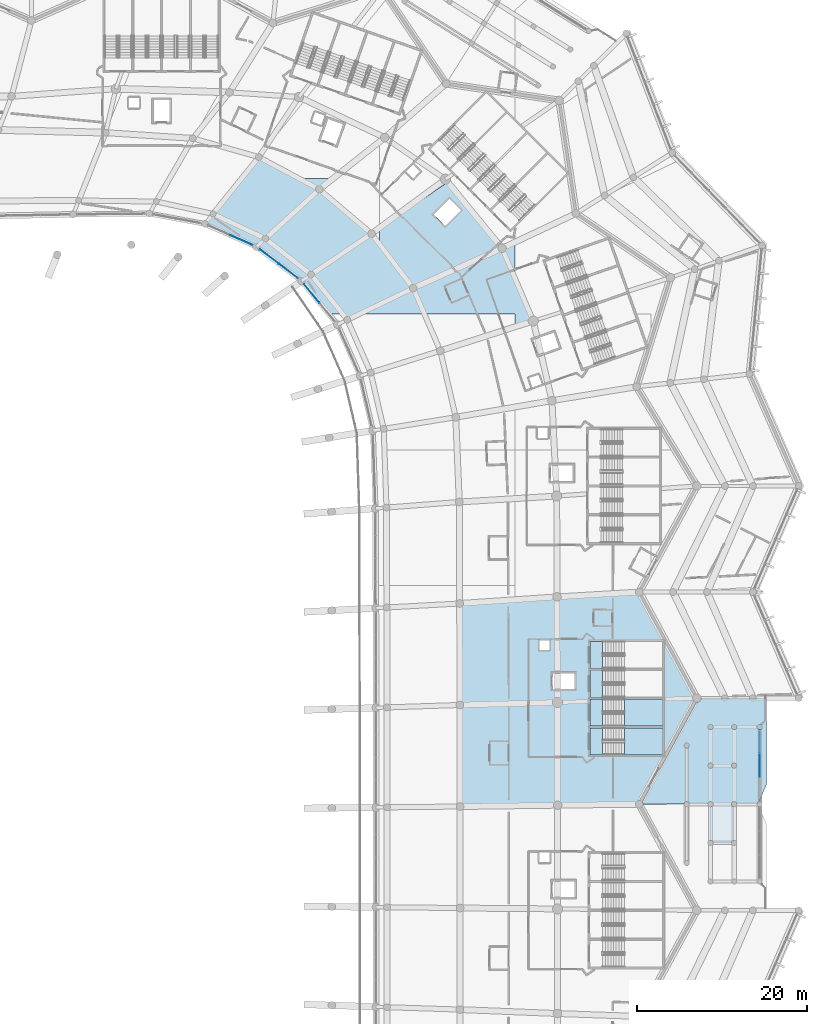
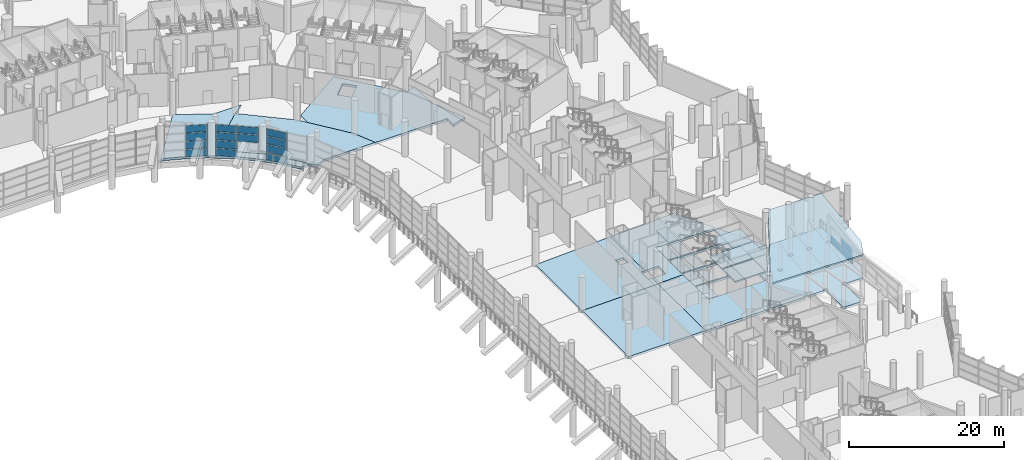
# One storey, part 149 of 271: 21 slabs, 17 plates, 8 elements without a shape of their own.
"""IFC4 building model written with IfcOpenShell, lengths in metres."""

from ifc_helpers import new_model, si_unit, direction, frame, origin, origin_2d, place, context, subcontext, project, spatial, polyline, rectangle, outline, extrude, material, layer, layer_set, type_object, element, aggregate, save


model = new_model("IFC4")

# Units and contexts
model_context = context("Model", 3, precision=1e-05, world=origin(), true_north=direction((0.0, 1.0)))
body_context = subcontext(model_context, "Body", "Model", "MODEL_VIEW")
ifc_project = project(units=[si_unit("LENGTHUNIT", "METRE"), si_unit("AREAUNIT", "SQUARE_METRE"), si_unit("VOLUMEUNIT", "CUBIC_METRE"), si_unit("PLANEANGLEUNIT", "RADIAN"), si_unit("MASSUNIT", "GRAM", prefix="KILO")], contexts=[model_context])

# Site, building, storey
site_placement = place(None, origin())
site = spatial("IfcSite", under=ifc_project, at=site_placement, CompositionType="ELEMENT")
building_placement = place(site_placement, origin())
building = spatial("IfcBuilding", under=site, at=building_placement, Name="Meseta Stadium", CompositionType="ELEMENT")
storey_placement = place(building_placement, frame((0.0, 0.0, 6.5)))
storey = spatial("IfcBuildingStorey", under=building, at=storey_placement, Name="L01", CompositionType="ELEMENT", Elevation=6.5)

# Curtain wall, plates
ifc_material_1 = material(Name="Aluminium", Category="aluminium")
ifc_layer_1 = layer(ifc_material_1, 0.199951171875)
ifc_layer_set_1 = layer_set([ifc_layer_1], Name="Club glazing curtain wall")
curtain_wall_type_1 = type_object("IfcCurtainWallType", Name="Club glazing curtain wall", PredefinedType="NOTDEFINED", material=ifc_layer_set_1)
curtain_wall_1_placement = place(storey_placement, origin())
curtain_wall_1 = element("IfcCurtainWall", 1, at=curtain_wall_1_placement, inside=storey, type_object=curtain_wall_type_1, Name="Club glazing bay 11", PredefinedType="NOTDEFINED")
ifc_material_2 = material(Name="Glass", Category="glass")
ifc_layer_2 = layer(ifc_material_2, 0.028076171875)
ifc_layer_set_2 = layer_set([ifc_layer_2], Name="CW glass panel 28")
plate_type_1 = type_object("IfcPlateType", Name="CW glass panel 28", PredefinedType="CURTAIN_PANEL", material=ifc_layer_set_2)
plate_1_placement = place(storey_placement, frame((56.022705078125, 66.44091796875, 0.1201171875), z_axis=(0.0, 0.0, 1.0), x_axis=(-0.63574102663, 0.771902420685, 0.0)))
plate_1 = element("IfcPlate", 2, at=plate_1_placement, type_object=plate_type_1, Name="CWC panel 2.1", PredefinedType="CURTAIN_PANEL", context=body_context, shape_type="SweptSolid", body=[
    extrude(rectangle(XDim=2.7646484375, YDim=0.028076171875, at=origin_2d()), origin(), (0.0, 0.0, 1.0), 1.107421875),
])
plate_2_placement = place(storey_placement, frame((56.022705078125, 66.44091796875, 1.347412109375), z_axis=(0.0, 0.0, 1.0), x_axis=(-0.63574102663, 0.771902420685, 0.0)))
plate_2 = element("IfcPlate", 3, at=plate_2_placement, type_object=plate_type_1, Name="CWC panel 2.2", PredefinedType="CURTAIN_PANEL", context=body_context, shape_type="SweptSolid", body=[
    extrude(rectangle(XDim=2.7646484375, YDim=0.028076171875, at=origin_2d()), origin(), (0.0, 0.0, 1.0), 1.16748046875),
])
plate_3_placement = place(storey_placement, frame((56.022705078125, 66.44091796875, 2.635009765625), z_axis=(0.0, 0.0, 1.0), x_axis=(-0.63574102663, 0.771902420685, 0.0)))
plate_3 = element("IfcPlate", 4, at=plate_3_placement, type_object=plate_type_1, Name="CWC panel 2.3", PredefinedType="CURTAIN_PANEL", context=body_context, shape_type="SweptSolid", body=[
    extrude(rectangle(XDim=2.7646484375, YDim=0.028076171875, at=origin_2d()), origin(), (0.0, 0.0, 1.0), 1.16748046875),
])
plate_4_placement = place(storey_placement, frame((56.022705078125, 66.44091796875, 3.922607421875), z_axis=(0.0, 0.0, 1.0), x_axis=(-0.63574102663, 0.771902420685, 0.0)))
plate_4 = element("IfcPlate", 5, at=plate_4_placement, type_object=plate_type_1, Name="CWC panel 2.4", PredefinedType="CURTAIN_PANEL", context=body_context, shape_type="SweptSolid", body=[
    extrude(rectangle(XDim=2.7646484375, YDim=0.028076171875, at=origin_2d()), origin(), (0.0, 0.0, 1.0), 1.107421875),
])
aggregate(curtain_wall_1, [plate_1, plate_2, plate_3, plate_4])

curtain_wall_2_placement = place(storey_placement, origin())
curtain_wall_2 = element("IfcCurtainWall", 6, at=curtain_wall_2_placement, inside=storey, type_object=curtain_wall_type_1, Name="Club glazing bay 12", PredefinedType="NOTDEFINED")
plate_5_placement = place(storey_placement, frame((53.26953125, 69.077880859375, 2.635009765625), z_axis=(0.0, 0.0, 1.0), x_axis=(-0.796590021375, 0.604519923448, 0.0)))
plate_5 = element("IfcPlate", 7, at=plate_5_placement, type_object=plate_type_1, Name="CWC panel 1.3", PredefinedType="CURTAIN_PANEL", context=body_context, shape_type="SweptSolid", body=[
    extrude(rectangle(XDim=2.759765625, YDim=0.028076171875, at=origin_2d()), origin(), (0.0, 0.0, 1.0), 1.16748046875),
])
plate_6_placement = place(storey_placement, frame((53.26953125, 69.077880859375, 3.922607421875), z_axis=(0.0, 0.0, 1.0), x_axis=(-0.796590021375, 0.604519923448, 0.0)))
plate_6 = element("IfcPlate", 8, at=plate_6_placement, type_object=plate_type_1, Name="CWC panel 1.4", PredefinedType="CURTAIN_PANEL", context=body_context, shape_type="SweptSolid", body=[
    extrude(rectangle(XDim=2.759765625, YDim=0.028076171875, at=origin_2d()), origin(), (0.0, 0.0, 1.0), 1.107421875),
])
plate_7_placement = place(storey_placement, frame((51.0234375, 70.782470703125, 0.1201171875), z_axis=(0.0, 0.0, 1.0), x_axis=(-0.796590021375, 0.604519923448, 0.0)))
plate_7 = element("IfcPlate", 9, at=plate_7_placement, type_object=plate_type_1, Name="CWC panel 2.1", PredefinedType="CURTAIN_PANEL", context=body_context, shape_type="SweptSolid", body=[
    extrude(rectangle(XDim=2.759765625, YDim=0.028076171875, at=origin_2d()), origin(), (0.0, 0.0, 1.0), 1.107421875),
])
plate_8_placement = place(storey_placement, frame((51.0234375, 70.782470703125, 1.347412109375), z_axis=(0.0, 0.0, 1.0), x_axis=(-0.796590021375, 0.604519923448, 0.0)))
plate_8 = element("IfcPlate", 10, at=plate_8_placement, type_object=plate_type_1, Name="CWC panel 2.2", PredefinedType="CURTAIN_PANEL", context=body_context, shape_type="SweptSolid", body=[
    extrude(rectangle(XDim=2.759765625, YDim=0.028076171875, at=origin_2d()), origin(), (0.0, 0.0, 1.0), 1.16748046875),
])
plate_9_placement = place(storey_placement, frame((51.0234375, 70.782470703125, 2.635009765625), z_axis=(0.0, 0.0, 1.0), x_axis=(-0.796590021375, 0.604519923448, 0.0)))
plate_9 = element("IfcPlate", 11, at=plate_9_placement, type_object=plate_type_1, Name="CWC panel 2.3", PredefinedType="CURTAIN_PANEL", context=body_context, shape_type="SweptSolid", body=[
    extrude(rectangle(XDim=2.759765625, YDim=0.028076171875, at=origin_2d()), origin(), (0.0, 0.0, 1.0), 1.16748046875),
])
plate_10_placement = place(storey_placement, frame((51.0234375, 70.782470703125, 3.922607421875), z_axis=(0.0, 0.0, 1.0), x_axis=(-0.796590021375, 0.604519923448, 0.0)))
plate_10 = element("IfcPlate", 12, at=plate_10_placement, type_object=plate_type_1, Name="CWC panel 2.4", PredefinedType="CURTAIN_PANEL", context=body_context, shape_type="SweptSolid", body=[
    extrude(rectangle(XDim=2.759765625, YDim=0.028076171875, at=origin_2d()), origin(), (0.0, 0.0, 1.0), 1.107421875),
])
aggregate(curtain_wall_2, [plate_5, plate_6, plate_7, plate_8, plate_9, plate_10])

curtain_wall_3_placement = place(storey_placement, origin())
curtain_wall_3 = element("IfcCurtainWall", 13, at=curtain_wall_3_placement, inside=storey, type_object=curtain_wall_type_1, Name="Club glazing bay 13", PredefinedType="NOTDEFINED")
plate_11_placement = place(storey_placement, frame((47.71533203125, 72.72216796875, 0.1201171875), z_axis=(0.0, 0.0, 1.0), x_axis=(-0.914527256817, 0.40452428424, 0.0)))
plate_11 = element("IfcPlate", 14, at=plate_11_placement, type_object=plate_type_1, Name="CWC panel 1.1", PredefinedType="CURTAIN_PANEL", context=body_context, shape_type="SweptSolid", body=[
    extrude(rectangle(XDim=2.777099609375, YDim=0.028076171875, at=origin_2d()), origin(), (0.0, 0.0, 1.0), 1.107421875),
])
plate_12_placement = place(storey_placement, frame((47.71533203125, 72.72216796875, 1.347412109375), z_axis=(0.0, 0.0, 1.0), x_axis=(-0.914527256817, 0.40452428424, 0.0)))
plate_12 = element("IfcPlate", 15, at=plate_12_placement, type_object=plate_type_1, Name="CWC panel 1.2", PredefinedType="CURTAIN_PANEL", context=body_context, shape_type="SweptSolid", body=[
    extrude(rectangle(XDim=2.777099609375, YDim=0.028076171875, at=origin_2d()), origin(), (0.0, 0.0, 1.0), 1.16748046875),
])
plate_13_placement = place(storey_placement, frame((47.71533203125, 72.72216796875, 2.635009765625), z_axis=(0.0, 0.0, 1.0), x_axis=(-0.914527256817, 0.40452428424, 0.0)))
plate_13 = element("IfcPlate", 16, at=plate_13_placement, type_object=plate_type_1, Name="CWC panel 1.3", PredefinedType="CURTAIN_PANEL", context=body_context, shape_type="SweptSolid", body=[
    extrude(rectangle(XDim=2.777099609375, YDim=0.028076171875, at=origin_2d()), origin(), (0.0, 0.0, 1.0), 1.16748046875),
])
plate_14_placement = place(storey_placement, frame((47.71533203125, 72.72216796875, 3.922607421875), z_axis=(0.0, 0.0, 1.0), x_axis=(-0.914527256817, 0.40452428424, 0.0)))
plate_14 = element("IfcPlate", 17, at=plate_14_placement, type_object=plate_type_1, Name="CWC panel 1.4", PredefinedType="CURTAIN_PANEL", context=body_context, shape_type="SweptSolid", body=[
    extrude(rectangle(XDim=2.777099609375, YDim=0.028076171875, at=origin_2d()), origin(), (0.0, 0.0, 1.0), 1.107421875),
])
aggregate(curtain_wall_3, [plate_11, plate_12, plate_13, plate_14])

# Slabs
ifc_material_3 = material(Name="Concrete C40/50", Category="concrete")
ifc_layer_3 = layer(ifc_material_3, 0.35009765625)
ifc_layer_set_3 = layer_set([ifc_layer_3], Name="Floor slab 350")
slab_type_1 = type_object("IfcSlabType", Name="Floor slab 350", PredefinedType="FLOOR", material=ifc_layer_set_3)
slab_1_placement = place(storey_placement, frame((0.0, 0.0, -0.35009765625)))
element("IfcSlab", 18, at=slab_1_placement, inside=storey, type_object=slab_type_1, Name="Floor slab L01 sector 00 panel 09", PredefinedType="FLOOR", context=body_context, shape_type="SweptSolid", body=[
    extrude(outline(polyline([(84.39990234375, 19.800048828125), (84.39990234375, 21.699951171875), (84.9638671875, 21.699951171875), (84.926025390625, 30.523193359375), (73.451416015625, 29.89404296875), (73.482421875, 17.943603515625), (84.978515625, 18.24365234375), (84.971923828125, 19.800048828125), (84.39990234375, 19.800048828125)]), holes=[polyline([(84.050048828125, 25.60009765625), (84.050048828125, 24.39990234375), (82.85009765625, 24.39990234375), (82.85009765625, 25.60009765625), (84.050048828125, 25.60009765625)])]), origin(), (0.0, 0.0, 1.0), 0.35009765625),
])
slab_2_placement = place(storey_placement, frame((0.0, 0.0, -0.35009765625)))
element("IfcSlab", 19, at=slab_2_placement, inside=storey, type_object=slab_type_1, Name="Floor slab L01 sector 00 panel 13", PredefinedType="FLOOR", context=body_context, shape_type="SweptSolid", body=[
    extrude(outline(polyline([(84.9970703125, 6.107421875), (84.978515625, 18.24365234375), (73.482421875, 17.943603515625), (73.498046875, 5.981201171875), (84.9970703125, 6.107421875)])), origin(), (0.0, 0.0, 1.0), 0.35009765625),
])
slab_3_placement = place(storey_placement, frame((0.0, 0.0, -0.35009765625)))
element("IfcSlab", 20, at=slab_3_placement, inside=storey, type_object=slab_type_1, Name="Floor slab L01 sector 00 panel 17", PredefinedType="FLOOR", context=body_context, shape_type="SweptSolid", body=[
    extrude(outline(polyline([(84.9970703125, 6.107421875), (94.6201171875, 6.212890625), (94.60009765625, 6.25), (101.39990234375, 18.75), (101.340087890625, 18.85986328125), (94.9599609375, 18.64990234375), (97.39990234375, 18.64990234375), (97.39990234375, 15.449951171875), (88.800048828125, 15.449951171875), (88.800048828125, 18.447509765625), (84.978515625, 18.32177734375), (84.9970703125, 6.107421875)]), holes=[polyline([(97.39990234375, 12.050048828125), (88.800048828125, 12.050048828125), (88.800048828125, 15.25), (97.39990234375, 15.25), (97.39990234375, 12.050048828125)])]), origin(), (0.0, 0.0, 1.0), 0.35009765625),
])
slab_4_placement = place(storey_placement, frame((0.0, 0.0, -0.35009765625)))
element("IfcSlab", 21, at=slab_4_placement, inside=storey, type_object=slab_type_1, Name="Floor slab L01 sector 00 panel 19", PredefinedType="FLOOR", context=body_context, shape_type="SweptSolid", body=[
    extrude(outline(polyline([(94.70361328125, 31.059326171875), (84.926025390625, 30.523193359375), (84.9638671875, 21.699951171875), (87.0, 21.699951171875), (87.0, 19.800048828125), (84.971923828125, 19.800048828125), (84.978271484375, 18.32177734375), (88.800048828125, 18.447509765625), (88.800048828125, 18.64990234375), (94.9599609375, 18.64990234375), (101.340087890625, 18.85986328125), (94.70361328125, 31.059326171875)]), holes=[polyline([(97.39990234375, 18.85009765625), (88.800048828125, 18.85009765625), (88.800048828125, 22.050048828125), (97.39990234375, 22.050048828125), (97.39990234375, 18.85009765625)]), polyline([(97.39990234375, 22.25), (88.800048828125, 22.25), (88.800048828125, 25.449951171875), (97.39990234375, 25.449951171875), (97.39990234375, 22.25)])]), origin(), (0.0, 0.0, 1.0), 0.35009765625),
])
slab_5_placement = place(storey_placement, frame((0.0, 0.0, -0.35009765625)))
element("IfcSlab", 22, at=slab_5_placement, inside=storey, type_object=slab_type_1, Name="Floor slab L01 sector 07 panel 01", PredefinedType="FLOOR", context=body_context, shape_type="SweptSolid", body=[
    extrude(outline(polyline([(49.800048828125, 82.493896484375), (43.440673828125, 74.614013671875), (44.486083984375, 74.268310546875), (45.527587890625, 73.87841796875), (46.552978515625, 73.4482421875), (47.560791015625, 72.978759765625), (48.5498046875, 72.470703125), (49.518310546875, 71.924560546875), (50.46484375, 71.34130859375), (51.387939453125, 70.721923828125), (52.286376953125, 70.0673828125), (53.15869140625, 69.37841796875), (54.00341796875, 68.656005859375), (54.819580078125, 67.901611328125), (55.60595703125, 67.1162109375), (56.361083984375, 66.30078125), (57.083984375, 65.456787109375), (57.773681640625, 64.585693359375), (58.201416015625, 64.0), (59.68408203125, 64.0), (55.940185546875, 68.658203125), (50.571533203125, 72.888916015625), (56.9150390625, 78.69580078125), (58.563720703125, 80.0), (54.4716796875, 80.0), (49.800048828125, 82.493896484375)])), origin(), (0.0, 0.0, 1.0), 0.35009765625),
])
slab_6_placement = place(storey_placement, frame((0.0, 0.0, -0.35009765625)))
element("IfcSlab", 23, at=slab_6_placement, inside=storey, type_object=slab_type_1, Name="Floor slab L01 sector 07 panel 03", PredefinedType="FLOOR", context=body_context, shape_type="SweptSolid", body=[
    extrude(outline(polyline([(69.297119140625, 64.0), (67.972412109375, 67.057861328125), (63.068115234375, 73.469970703125), (56.9150390625, 78.69580078125), (50.571533203125, 72.888916015625), (55.940185546875, 68.658203125), (60.22216796875, 63.33056640625), (61.6142578125, 64.0), (69.297119140625, 64.0)])), origin(), (0.0, 0.0, 1.0), 0.35009765625),
])
slab_7_placement = place(storey_placement, frame((0.0, 0.0, -0.35009765625)))
element("IfcSlab", 24, at=slab_7_placement, inside=storey, type_object=slab_type_1, Name="Floor slab L01 sector 07 panel 09", PredefinedType="FLOOR", context=body_context, shape_type="SweptSolid", body=[
    extrude(outline(polyline([(69.297119140625, 64.0), (80.0, 64.0), (80.0, 62.44580078125), (82.137451171875, 63.115966796875), (82.119873046875, 63.191162109375), (80.0, 68.13232421875), (80.0, 72.48828125), (78.4453125, 71.756103515625), (72.06103515625, 79.54052734375), (64.0, 74.098876953125), (64.0, 72.251708984375), (67.972412109375, 67.057861328125), (69.297119140625, 64.0)]), holes=[polyline([(71.74609375, 74.402587890625), (70.402587890625, 75.74609375), (72.2412109375, 77.584716796875), (73.584716796875, 76.2412109375), (71.74609375, 74.402587890625)])]), origin(), (0.0, 0.0, 1.0), 0.35009765625),
])
slab_8_placement = place(storey_placement, frame((0.0, 0.0, -0.35009765625)))
element("IfcSlab", 25, at=slab_8_placement, inside=storey, type_object=slab_type_1, Name="Gate hall floor slab 1 panel 02", PredefinedType="FLOOR", context=body_context, shape_type="SweptSolid", body=[
    extrude(outline(polyline([(99.900146484375, 6.270751953125), (99.90771484375, 6.328369140625), (99.93798828125, 6.4013671875), (99.986083984375, 6.464111328125), (100.048583984375, 6.511962890625), (100.12158203125, 6.542236328125), (100.199951171875, 6.552490234375), (100.2783203125, 6.542236328125), (100.351318359375, 6.511962890625), (100.4140625, 6.464111328125), (100.4619140625, 6.4013671875), (100.4921875, 6.328369140625), (100.502685546875, 6.25), (102.697509765625, 6.25), (102.707763671875, 6.328369140625), (102.738037109375, 6.4013671875), (102.785888671875, 6.464111328125), (102.8486328125, 6.511962890625), (102.921630859375, 6.542236328125), (103.0, 6.552490234375), (103.078369140625, 6.542236328125), (103.1513671875, 6.511962890625), (103.214111328125, 6.464111328125), (103.261962890625, 6.4013671875), (103.292236328125, 6.328369140625), (103.302490234375, 6.25), (103.292236328125, 6.171630859375), (103.261962890625, 6.0986328125), (103.214111328125, 6.035888671875), (103.1513671875, 5.988037109375), (103.078369140625, 5.957763671875), (103.0, 5.947509765625), (103.0, 2.002685546875), (103.078369140625, 1.9921875), (103.1513671875, 1.9619140625), (103.214111328125, 1.9140625), (103.261962890625, 1.851318359375), (103.292236328125, 1.7783203125), (103.302490234375, 1.699951171875), (105.497314453125, 1.699951171875), (105.5078125, 1.7783203125), (105.5380859375, 1.851318359375), (105.5859375, 1.9140625), (105.648681640625, 1.9619140625), (105.7216796875, 1.9921875), (105.800048828125, 2.002685546875), (105.800048828125, 5.947509765625), (105.7216796875, 5.957763671875), (105.648681640625, 5.988037109375), (105.5859375, 6.035888671875), (105.5380859375, 6.0986328125), (105.5078125, 6.171630859375), (105.497314453125, 6.25), (105.5078125, 6.328369140625), (105.5380859375, 6.4013671875), (105.5859375, 6.464111328125), (105.648681640625, 6.511962890625), (105.7216796875, 6.542236328125), (105.800048828125, 6.552490234375), (105.87841796875, 6.542236328125), (105.951416015625, 6.511962890625), (106.013916015625, 6.464111328125), (106.06201171875, 6.4013671875), (106.087890625, 6.338623046875), (106.09228515625, 6.328369140625), (106.1025390625, 6.25), (108.497314453125, 6.25), (108.5078125, 6.328369140625), (108.5380859375, 6.4013671875), (108.5859375, 6.464111328125), (108.648681640625, 6.511962890625), (108.7216796875, 6.542236328125), (108.7265625, 6.54296875), (109.60009765625, 8.564697265625), (109.60009765625, 18.75), (101.904296875, 18.75), (101.88720703125, 18.619384765625), (101.836669921875, 18.497802734375), (101.756591796875, 18.393310546875), (101.652099609375, 18.313232421875), (101.530517578125, 18.262939453125), (101.39990234375, 18.24560546875), (101.335205078125, 18.254150390625), (94.955078125, 6.5263671875), (94.9931640625, 6.476806640625), (95.038330078125, 6.367431640625), (95.053955078125, 6.25), (95.049560546875, 6.217529296875), (99.900146484375, 6.270751953125)]), holes=[polyline([(109.06201171875, 15.501220703125), (109.09228515625, 15.42822265625), (109.1025390625, 15.35009765625), (109.09228515625, 15.271728515625), (109.06201171875, 15.19873046875), (109.013916015625, 15.135986328125), (108.951416015625, 15.087890625), (108.87841796875, 15.0576171875), (108.800048828125, 15.04736328125), (108.7216796875, 15.0576171875), (108.648681640625, 15.087890625), (108.5859375, 15.135986328125), (108.5380859375, 15.19873046875), (108.5078125, 15.271728515625), (108.497314453125, 15.35009765625), (108.5078125, 15.42822265625), (108.5380859375, 15.501220703125), (108.5859375, 15.56396484375), (108.648681640625, 15.612060546875), (108.7216796875, 15.642333984375), (108.800048828125, 15.652587890625), (108.87841796875, 15.642333984375), (108.951416015625, 15.612060546875), (109.013916015625, 15.56396484375), (109.06201171875, 15.501220703125)]), polyline([(105.648681640625, 15.612060546875), (105.7216796875, 15.642333984375), (105.800048828125, 15.652587890625), (105.87841796875, 15.642333984375), (105.951416015625, 15.612060546875), (106.013916015625, 15.56396484375), (106.06201171875, 15.501220703125), (106.09228515625, 15.42822265625), (106.1025390625, 15.35009765625), (106.09228515625, 15.271728515625), (106.06201171875, 15.19873046875), (106.013916015625, 15.135986328125), (105.951416015625, 15.087890625), (105.87841796875, 15.0576171875), (105.800048828125, 15.04736328125), (105.7216796875, 15.0576171875), (105.648681640625, 15.087890625), (105.5859375, 15.135986328125), (105.5380859375, 15.19873046875), (105.5078125, 15.271728515625), (105.497314453125, 15.35009765625), (105.5078125, 15.42822265625), (105.5380859375, 15.501220703125), (105.5859375, 15.56396484375), (105.648681640625, 15.612060546875)]), polyline([(103.1513671875, 15.612060546875), (103.214111328125, 15.56396484375), (103.261962890625, 15.501220703125), (103.292236328125, 15.42822265625), (103.302490234375, 15.35009765625), (103.292236328125, 15.271728515625), (103.261962890625, 15.19873046875), (103.214111328125, 15.135986328125), (103.1513671875, 15.087890625), (103.078369140625, 15.0576171875), (103.0, 15.04736328125), (102.921630859375, 15.0576171875), (102.8486328125, 15.087890625), (102.785888671875, 15.135986328125), (102.738037109375, 15.19873046875), (102.707763671875, 15.271728515625), (102.697509765625, 15.35009765625), (102.707763671875, 15.42822265625), (102.738037109375, 15.501220703125), (102.785888671875, 15.56396484375), (102.8486328125, 15.612060546875), (102.921630859375, 15.642333984375), (103.0, 15.652587890625), (103.078369140625, 15.642333984375), (103.1513671875, 15.612060546875)]), polyline([(102.738037109375, 10.951416015625), (102.785888671875, 11.013916015625), (102.8486328125, 11.06201171875), (102.921630859375, 11.09228515625), (103.0, 11.1025390625), (103.078369140625, 11.09228515625), (103.1513671875, 11.06201171875), (103.214111328125, 11.013916015625), (103.261962890625, 10.951416015625), (103.292236328125, 10.87841796875), (103.302490234375, 10.800048828125), (103.292236328125, 10.7216796875), (103.261962890625, 10.648681640625), (103.214111328125, 10.5859375), (103.1513671875, 10.5380859375), (103.078369140625, 10.5078125), (103.0, 10.497314453125), (102.921630859375, 10.5078125), (102.8486328125, 10.5380859375), (102.785888671875, 10.5859375), (102.738037109375, 10.648681640625), (102.707763671875, 10.7216796875), (102.697509765625, 10.800048828125), (102.707763671875, 10.87841796875), (102.738037109375, 10.951416015625)]), polyline([(105.648681640625, 10.5380859375), (105.5859375, 10.5859375), (105.5380859375, 10.648681640625), (105.5078125, 10.7216796875), (105.497314453125, 10.800048828125), (105.5078125, 10.87841796875), (105.5380859375, 10.951416015625), (105.5859375, 11.013916015625), (105.648681640625, 11.06201171875), (105.7216796875, 11.09228515625), (105.800048828125, 11.1025390625), (105.87841796875, 11.09228515625), (105.951416015625, 11.06201171875), (106.013916015625, 11.013916015625), (106.06201171875, 10.951416015625), (106.09228515625, 10.87841796875), (106.1025390625, 10.800048828125), (106.09228515625, 10.7216796875), (106.06201171875, 10.648681640625), (106.013916015625, 10.5859375), (105.951416015625, 10.5380859375), (105.87841796875, 10.5078125), (105.800048828125, 10.497314453125), (105.7216796875, 10.5078125), (105.648681640625, 10.5380859375)]), polyline([(99.93798828125, 13.318603515625), (99.986083984375, 13.38134765625), (100.048583984375, 13.429443359375), (100.12158203125, 13.459716796875), (100.199951171875, 13.469970703125), (100.2783203125, 13.459716796875), (100.351318359375, 13.429443359375), (100.4140625, 13.38134765625), (100.4619140625, 13.318603515625), (100.4921875, 13.245849609375), (100.502685546875, 13.16748046875), (100.4921875, 13.089111328125), (100.4619140625, 13.01611328125), (100.4140625, 12.95361328125), (100.351318359375, 12.905517578125), (100.2783203125, 12.875244140625), (100.199951171875, 12.864990234375), (100.12158203125, 12.875244140625), (100.048583984375, 12.905517578125), (99.986083984375, 12.95361328125), (99.93798828125, 13.01611328125), (99.90771484375, 13.089111328125), (99.8974609375, 13.16748046875), (99.90771484375, 13.245849609375), (99.93798828125, 13.318603515625)])]), origin(), (0.0, 0.0, 1.0), 0.35009765625),
])
ifc_material_4 = material(Name="Concrete C40/50", Category="concrete")
ifc_layer_4 = layer(ifc_material_4, 0.300048828125)
ifc_layer_set_4 = layer_set([ifc_layer_4], Name="Gate roof plate 300")
slab_type_2 = type_object("IfcSlabType", Name="Gate roof plate 300", PredefinedType="ROOF", material=ifc_layer_set_4)
slab_9_placement = place(storey_placement, frame((109.60009765625, 18.75, 5.367919921875), z_axis=(0.019795953742, -0.138619742273, 0.990147810818), x_axis=(-0.999800198128, 1.138102e-06, 0.019989092559)))
element("IfcSlab", 26, at=slab_9_placement, inside=storey, type_object=slab_type_2, Name="Gate 1 butterfly roof wing", PredefinedType="ROOF", context=body_context, shape_type="SweptSolid", body=[
    extrude(outline(polyline([(0.0, 0.0), (7.996716246077016, 3.469446951953614e-18), (14.763129516762087, 12.6218602292899), (0.9652052321354223, 12.621854510407971), (-0.028511665290801468, 10.284572476588597), (0.0, 0.0)])), origin(), (0.0, 0.0, -1.0), 0.300048828125),
])

# Curtain wall, plates
ifc_material_5 = material(Name="Aluminium", Category="aluminium")
ifc_layer_5 = layer(ifc_material_5, 0.199951171875)
ifc_layer_set_5 = layer_set([ifc_layer_5], Name="Gate hall curtain wall")
curtain_wall_type_2 = type_object("IfcCurtainWallType", Name="Gate hall curtain wall", PredefinedType="NOTDEFINED", material=ifc_layer_set_5)
curtain_wall_4_placement = place(storey_placement, origin())
curtain_wall_4 = element("IfcCurtainWall", 27, at=curtain_wall_4_placement, inside=storey, type_object=curtain_wall_type_2, Name="Gate 1 hall glazing", PredefinedType="NOTDEFINED")
ifc_material_6 = material(Name="Glass", Category="glass")
ifc_layer_6 = layer(ifc_material_6, 0.035888671875)
ifc_layer_set_6 = layer_set([ifc_layer_6], Name="Ring CW glass panel 36")
plate_type_2 = type_object("IfcPlateType", Name="Ring CW glass panel 36", PredefinedType="CURTAIN_PANEL", material=ifc_layer_set_6)
plate_15_placement = place(storey_placement, frame((108.800048828125, 13.618408203125, 0.14990234375), z_axis=(0.0, 0.0, 1.0), x_axis=(0.0, -1.0, 0.0)))
plate_15 = element("IfcPlate", 28, at=plate_15_placement, type_object=plate_type_2, Name="CWG1 panel 1.1", PredefinedType="CURTAIN_PANEL", context=body_context, shape_type="SweptSolid", body=[
    extrude(rectangle(XDim=2.743408203125, YDim=0.035888671875, at=origin_2d()), origin(), (0.0, 0.0, 1.0), 1.123046875),
])
plate_16_placement = place(storey_placement, frame((108.800048828125, 10.800048828125, 0.14990234375), z_axis=(0.0, 0.0, 1.0), x_axis=(0.0, -1.0, 0.0)))
plate_16 = element("IfcPlate", 29, at=plate_16_placement, type_object=plate_type_2, Name="CWG1 panel 2.1", PredefinedType="CURTAIN_PANEL", context=body_context, shape_type="SweptSolid", body=[
    extrude(rectangle(XDim=2.7734375, YDim=0.035888671875, at=origin_2d()), origin(), (0.0, 0.0, 1.0), 1.123046875),
])
plate_17_placement = place(storey_placement, frame((108.800048828125, 10.800048828125, 1.423095703125), z_axis=(0.0, 0.0, 1.0), x_axis=(0.0, -1.0, 0.0)))
plate_17 = element("IfcPlate", 30, at=plate_17_placement, type_object=plate_type_2, Name="CWG1 panel 2.2", PredefinedType="CURTAIN_PANEL", context=body_context, shape_type="SweptSolid", body=[
    extrude(rectangle(XDim=2.7734375, YDim=0.035888671875, at=origin_2d()), origin(), (0.0, 0.0, 1.0), 1.123046875),
])
aggregate(curtain_wall_4, [plate_15, plate_16, plate_17])

# Stair, slabs
ifc_material_7 = material(Name="Concrete C40/50", Category="concrete")
stair_type = type_object("IfcStairType", Name="Exit stair 4 flights 153 mm risers", PredefinedType="HALF_TURN_STAIR", material=ifc_material_7)
stair_1_placement = place(storey_placement, origin())
stair_1 = element("IfcStair", 31, at=stair_1_placement, inside=storey, type_object=stair_type, Name="ST13 L01", PredefinedType="HALF_TURN_STAIR")
ifc_material_8 = material(Name="Concrete C40/50", Category="concrete")
ifc_layer_7 = layer(ifc_material_8, 0.199951171875)
ifc_layer_set_7 = layer_set([ifc_layer_7], Name="Stair landing 200")
slab_type_3 = type_object("IfcSlabType", Name="Stair landing 200", PredefinedType="LANDING", material=ifc_layer_set_7)
slab_10_placement = place(storey_placement, frame((0.0, 0.0, 1.175048828125)))
slab_10 = element("IfcSlab", 32, at=slab_10_placement, type_object=slab_type_3, Name="ST13 L01 landing 1", PredefinedType="LANDING", context=body_context, shape_type="SweptSolid", body=[
    extrude(outline(polyline([(92.85009765625, 12.050048828125), (97.39990234375, 12.050048828125), (97.39990234375, 15.25), (92.85009765625, 15.25), (92.85009765625, 12.050048828125)])), origin(), (0.0, 0.0, 1.0), 0.199951171875),
])
slab_11_placement = place(storey_placement, frame((0.0, 0.0, 2.550048828125)))
slab_11 = element("IfcSlab", 33, at=slab_11_placement, type_object=slab_type_3, Name="ST13 L01 landing 2", PredefinedType="LANDING", context=body_context, shape_type="SweptSolid", body=[
    extrude(outline(polyline([(88.800048828125, 12.050048828125), (90.31005859375, 12.050048828125), (90.31005859375, 15.25), (88.800048828125, 15.25), (88.800048828125, 12.050048828125)])), origin(), (0.0, 0.0, 1.0), 0.199951171875),
])
slab_12_placement = place(storey_placement, frame((0.0, 0.0, 3.925048828125)))
slab_12 = element("IfcSlab", 34, at=slab_12_placement, type_object=slab_type_3, Name="ST13 L01 landing 3", PredefinedType="LANDING", context=body_context, shape_type="SweptSolid", body=[
    extrude(outline(polyline([(92.85009765625, 12.050048828125), (97.39990234375, 12.050048828125), (97.39990234375, 15.25), (92.85009765625, 15.25), (92.85009765625, 12.050048828125)])), origin(), (0.0, 0.0, 1.0), 0.199951171875),
])
slab_13_placement = place(storey_placement, frame((0.0, 0.0, -0.199951171875)))
slab_13 = element("IfcSlab", 35, at=slab_13_placement, type_object=slab_type_3, Name="ST13 L01 landing 4", PredefinedType="LANDING", context=body_context, shape_type="SweptSolid", body=[
    extrude(outline(polyline([(88.800048828125, 12.050048828125), (90.31005859375, 12.050048828125), (90.31005859375, 15.25), (88.800048828125, 15.25), (88.800048828125, 12.050048828125)])), origin(), (0.0, 0.0, 1.0), 0.199951171875),
])
aggregate(stair_1, [slab_10, slab_11, slab_12, slab_13])

stair_2_placement = place(storey_placement, origin())
stair_2 = element("IfcStair", 36, at=stair_2_placement, inside=storey, type_object=stair_type, Name="ST14 L01", PredefinedType="HALF_TURN_STAIR")
slab_14_placement = place(storey_placement, frame((0.0, 0.0, 1.175048828125)))
slab_14 = element("IfcSlab", 37, at=slab_14_placement, type_object=slab_type_3, Name="ST14 L01 landing 1", PredefinedType="LANDING", context=body_context, shape_type="SweptSolid", body=[
    extrude(outline(polyline([(92.85009765625, 15.449951171875), (97.39990234375, 15.449951171875), (97.39990234375, 18.64990234375), (92.85009765625, 18.64990234375), (92.85009765625, 15.449951171875)])), origin(), (0.0, 0.0, 1.0), 0.199951171875),
])
slab_15_placement = place(storey_placement, frame((0.0, 0.0, 2.550048828125)))
slab_15 = element("IfcSlab", 38, at=slab_15_placement, type_object=slab_type_3, Name="ST14 L01 landing 2", PredefinedType="LANDING", context=body_context, shape_type="SweptSolid", body=[
    extrude(outline(polyline([(88.800048828125, 15.449951171875), (90.31005859375, 15.449951171875), (90.31005859375, 18.64990234375), (88.800048828125, 18.64990234375), (88.800048828125, 15.449951171875)])), origin(), (0.0, 0.0, 1.0), 0.199951171875),
])
slab_16_placement = place(storey_placement, frame((0.0, 0.0, 3.925048828125)))
slab_16 = element("IfcSlab", 39, at=slab_16_placement, type_object=slab_type_3, Name="ST14 L01 landing 3", PredefinedType="LANDING", context=body_context, shape_type="SweptSolid", body=[
    extrude(outline(polyline([(92.85009765625, 15.449951171875), (97.39990234375, 15.449951171875), (97.39990234375, 18.64990234375), (92.85009765625, 18.64990234375), (92.85009765625, 15.449951171875)])), origin(), (0.0, 0.0, 1.0), 0.199951171875),
])
slab_17_placement = place(storey_placement, frame((0.0, 0.0, -0.199951171875)))
slab_17 = element("IfcSlab", 40, at=slab_17_placement, type_object=slab_type_3, Name="ST14 L01 landing 4", PredefinedType="LANDING", context=body_context, shape_type="SweptSolid", body=[
    extrude(outline(polyline([(88.800048828125, 15.449951171875), (90.31005859375, 15.449951171875), (90.31005859375, 18.64990234375), (88.800048828125, 18.64990234375), (88.800048828125, 15.449951171875)])), origin(), (0.0, 0.0, 1.0), 0.199951171875),
])
aggregate(stair_2, [slab_14, slab_15, slab_16, slab_17])

stair_3_placement = place(storey_placement, origin())
stair_3 = element("IfcStair", 41, at=stair_3_placement, inside=storey, type_object=stair_type, Name="ST15 L01", PredefinedType="HALF_TURN_STAIR")
slab_18_placement = place(storey_placement, frame((0.0, 0.0, 2.550048828125)))
slab_18 = element("IfcSlab", 42, at=slab_18_placement, type_object=slab_type_3, Name="ST15 L01 landing 2", PredefinedType="LANDING", context=body_context, shape_type="SweptSolid", body=[
    extrude(outline(polyline([(88.800048828125, 18.85009765625), (90.31005859375, 18.85009765625), (90.31005859375, 22.050048828125), (88.800048828125, 22.050048828125), (88.800048828125, 18.85009765625)])), origin(), (0.0, 0.0, 1.0), 0.199951171875),
])
slab_19_placement = place(storey_placement, frame((0.0, 0.0, -0.199951171875)))
slab_19 = element("IfcSlab", 43, at=slab_19_placement, type_object=slab_type_3, Name="ST15 L01 landing 4", PredefinedType="LANDING", context=body_context, shape_type="SweptSolid", body=[
    extrude(outline(polyline([(88.800048828125, 18.85009765625), (90.31005859375, 18.85009765625), (90.31005859375, 22.050048828125), (88.800048828125, 22.050048828125), (88.800048828125, 18.85009765625)])), origin(), (0.0, 0.0, 1.0), 0.199951171875),
])
aggregate(stair_3, [slab_18, slab_19])

stair_4_placement = place(storey_placement, origin())
stair_4 = element("IfcStair", 44, at=stair_4_placement, inside=storey, type_object=stair_type, Name="ST16 L01", PredefinedType="HALF_TURN_STAIR")
slab_20_placement = place(storey_placement, frame((0.0, 0.0, 2.550048828125)))
slab_20 = element("IfcSlab", 45, at=slab_20_placement, type_object=slab_type_3, Name="ST16 L01 landing 2", PredefinedType="LANDING", context=body_context, shape_type="SweptSolid", body=[
    extrude(outline(polyline([(88.800048828125, 22.25), (90.31005859375, 22.25), (90.31005859375, 25.449951171875), (88.800048828125, 25.449951171875), (88.800048828125, 22.25)])), origin(), (0.0, 0.0, 1.0), 0.199951171875),
])
slab_21_placement = place(storey_placement, frame((0.0, 0.0, -0.199951171875)))
slab_21 = element("IfcSlab", 46, at=slab_21_placement, type_object=slab_type_3, Name="ST16 L01 landing 4", PredefinedType="LANDING", context=body_context, shape_type="SweptSolid", body=[
    extrude(outline(polyline([(88.800048828125, 22.25), (90.31005859375, 22.25), (90.31005859375, 25.449951171875), (88.800048828125, 25.449951171875), (88.800048828125, 22.25)])), origin(), (0.0, 0.0, 1.0), 0.199951171875),
])
aggregate(stair_4, [slab_20, slab_21])

save(model, "model.ifc")
